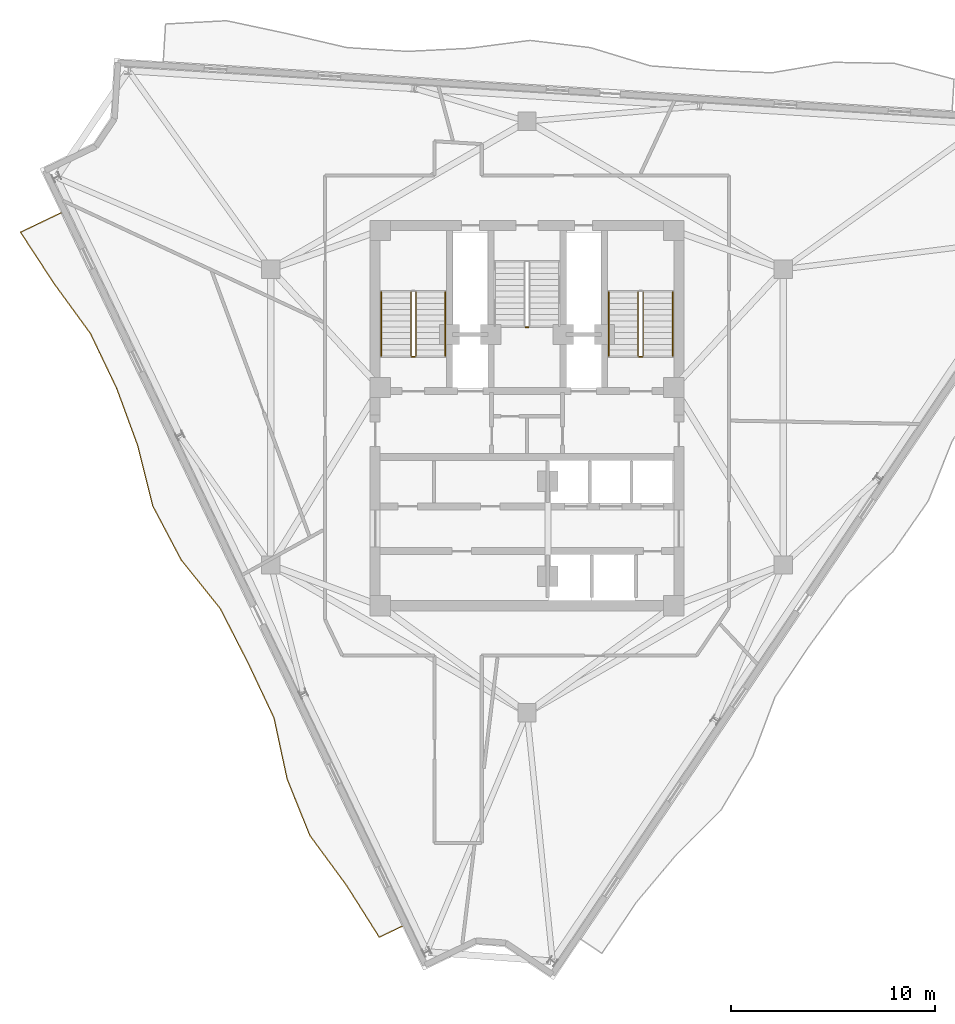
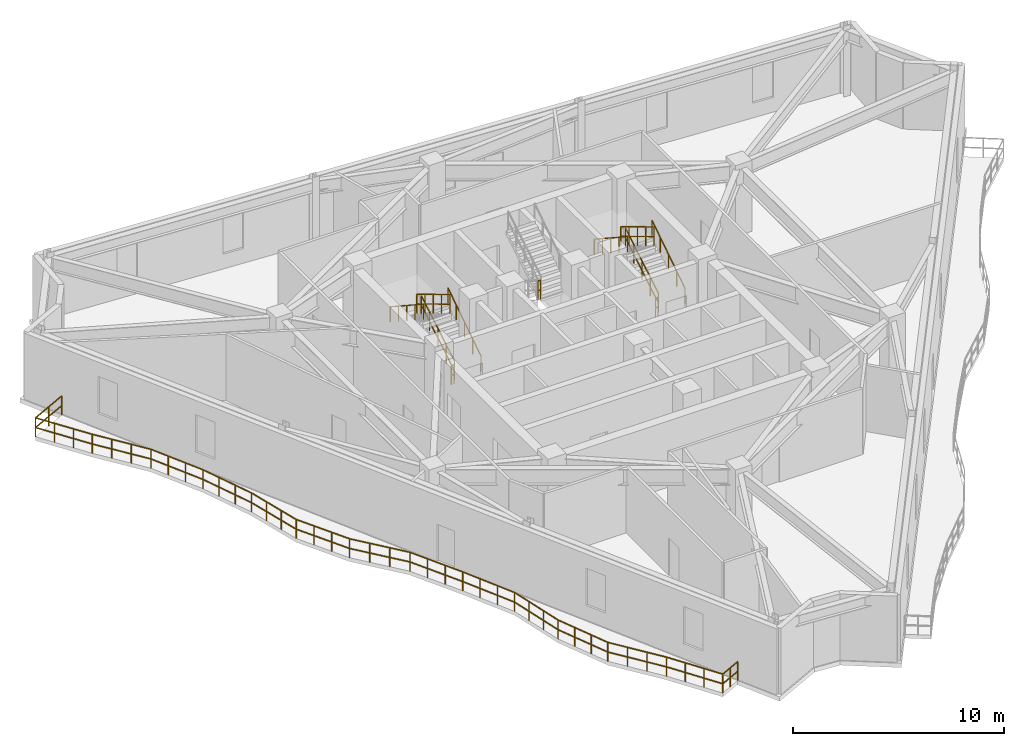
# One storey, part 9 of 11: 12 railings.
"""IFC4 building model written with IfcOpenShell, lengths in metres."""

from ifc_helpers import new_model, si_unit, direction, frame, origin, origin_2d, place, context, subcontext, project, spatial, rectangle, extrude, material, type_object, element, save


model = new_model("IFC4")

# Units and contexts
model_context = context("Model", 3, precision=1e-05, world=origin(), true_north=direction((0.0, 1.0)))
body_context = subcontext(model_context, "Body", "Model", "MODEL_VIEW")
ifc_project = project(units=[si_unit("LENGTHUNIT", "METRE"), si_unit("AREAUNIT", "SQUARE_METRE"), si_unit("VOLUMEUNIT", "CUBIC_METRE"), si_unit("PLANEANGLEUNIT", "RADIAN"), si_unit("MASSUNIT", "GRAM", prefix="KILO")], contexts=[model_context])

# Site, building, storey
site_placement = place(None, origin())
site = spatial("IfcSite", under=ifc_project, at=site_placement, CompositionType="ELEMENT")
building_placement = place(site_placement, origin())
building = spatial("IfcBuilding", under=site, at=building_placement, Name="Apsidion Concourse Tower", CompositionType="ELEMENT")
storey_placement = place(building_placement, frame((0.0, 0.0, 314.699951171875)))
storey = spatial("IfcBuildingStorey", under=building, at=storey_placement, Name="L74", CompositionType="ELEMENT", Elevation=314.699951171875)

# Railings
ifc_material = material(Name="Brushed stainless steel 316", Category="steel")
railing_type_1 = type_object("IfcRailingType", Name="RL-BAL-1120", PredefinedType="BALUSTRADE", material=ifc_material)
railing_1_placement = place(storey_placement, frame((-6.1181640625, -24.96630859375, 0.0)))
element("IfcRailing", 1, at=railing_1_placement, inside=storey, type_object=railing_type_1, Name="L74 Face 1 Rippling Balcony Balustrade", PredefinedType="BALUSTRADE", context=body_context, shape_type="SweptSolid", body=[
    extrude(rectangle(XDim=0.048095703125, YDim=0.048095703125, at=origin_2d()), frame((0.0, 0.0, 1.09619140625), z_axis=(-0.902104466903, -0.431517706234, 0.0), x_axis=(0.431517706234, -0.902104466903, 0.0)), (0.0, 0.0, 1.0), 1.249755859375),
    extrude(rectangle(XDim=0.048095703125, YDim=0.048095703125, at=origin_2d()), frame((0.0, 0.0, 0.5361328125), z_axis=(-0.902104466903, -0.431517706234, 0.0), x_axis=(0.431517706234, -0.902104466903, 0.0)), (0.0, 0.0, 1.0), 1.249755859375),
    extrude(rectangle(XDim=0.048095703125, YDim=0.048095703125, at=origin_2d()), frame((-1.12744140625, -0.539306640625, 1.09619140625), z_axis=(-0.53431709575, 0.845284118619, 0.0), x_axis=(-0.845284118619, -0.53431709575, 0.0)), (0.0, 0.0, 1.0), 3.00390625),
    extrude(rectangle(XDim=0.048095703125, YDim=0.048095703125, at=origin_2d()), frame((-1.12744140625, -0.539306640625, 0.5361328125), z_axis=(-0.53431709575, 0.845284118619, 0.0), x_axis=(-0.845284118619, -0.53431709575, 0.0)), (0.0, 0.0, 1.0), 3.00390625),
    extrude(rectangle(XDim=0.048095703125, YDim=0.048095703125, at=origin_2d()), frame((-2.732421875, 1.999755859375, 1.09619140625), z_axis=(-0.592018877839, 0.805924095857, 0.0), x_axis=(-0.805924095857, -0.592018877839, 0.0)), (0.0, 0.0, 1.0), 3.035888671875),
    extrude(rectangle(XDim=0.048095703125, YDim=0.048095703125, at=origin_2d()), frame((-2.732421875, 1.999755859375, 0.5361328125), z_axis=(-0.592018877839, 0.805924095857, 0.0), x_axis=(-0.805924095857, -0.592018877839, 0.0)), (0.0, 0.0, 1.0), 3.035888671875),
    extrude(rectangle(XDim=0.048095703125, YDim=0.048095703125, at=origin_2d()), frame((-4.52978515625, 4.446533203125, 1.09619140625), z_axis=(-0.373685024988, 0.927555659839, 0.0), x_axis=(-0.927555659839, -0.373685024988, 0.0)), (0.0, 0.0, 1.0), 2.989013671875),
    extrude(rectangle(XDim=0.048095703125, YDim=0.048095703125, at=origin_2d()), frame((-4.52978515625, 4.446533203125, 0.5361328125), z_axis=(-0.373685024988, 0.927555659839, 0.0), x_axis=(-0.927555659839, -0.373685024988, 0.0)), (0.0, 0.0, 1.0), 2.989013671875),
    extrude(rectangle(XDim=0.048095703125, YDim=0.048095703125, at=origin_2d()), frame((-5.646728515625, 7.218994140625, 1.09619140625), z_axis=(-0.210300941002, 0.977636698479, 0.0), x_axis=(-0.977636698479, -0.210300941002, 0.0)), (0.0, 0.0, 1.0), 3.067138671875),
    extrude(rectangle(XDim=0.048095703125, YDim=0.048095703125, at=origin_2d()), frame((-5.646728515625, 7.218994140625, 0.5361328125), z_axis=(-0.210300941002, 0.977636698479, 0.0), x_axis=(-0.977636698479, -0.210300941002, 0.0)), (0.0, 0.0, 1.0), 3.067138671875),
    extrude(rectangle(XDim=0.048095703125, YDim=0.048095703125, at=origin_2d()), frame((-6.291748046875, 10.217529296875, 1.09619140625), z_axis=(-0.426801820596, 0.904345180745, 0.0), x_axis=(-0.904345180745, -0.426801820596, 0.0)), (0.0, 0.0, 1.0), 2.983154296875),
    extrude(rectangle(XDim=0.048095703125, YDim=0.048095703125, at=origin_2d()), frame((-6.291748046875, 10.217529296875, 0.5361328125), z_axis=(-0.426801820596, 0.904345180745, 0.0), x_axis=(-0.904345180745, -0.426801820596, 0.0)), (0.0, 0.0, 1.0), 2.983154296875),
    extrude(rectangle(XDim=0.048095703125, YDim=0.048095703125, at=origin_2d()), frame((-7.56494140625, 12.915283203125, 1.09619140625), z_axis=(-0.455441122892, 0.890265906109, 0.0), x_axis=(-0.890265906109, -0.455441122892, 0.0)), (0.0, 0.0, 1.0), 2.984130859375),
    extrude(rectangle(XDim=0.048095703125, YDim=0.048095703125, at=origin_2d()), frame((-7.56494140625, 12.915283203125, 0.5361328125), z_axis=(-0.455441122892, 0.890265906109, 0.0), x_axis=(-0.890265906109, -0.455441122892, 0.0)), (0.0, 0.0, 1.0), 2.984130859375),
    extrude(rectangle(XDim=0.048095703125, YDim=0.048095703125, at=origin_2d()), frame((-8.924072265625, 15.572021484375, 1.09619140625), z_axis=(-0.625831472538, 0.779958311694, 0.0), x_axis=(-0.779958311694, -0.625831472538, 0.0)), (0.0, 0.0, 1.0), 3.0634765625),
    extrude(rectangle(XDim=0.048095703125, YDim=0.048095703125, at=origin_2d()), frame((-8.924072265625, 15.572021484375, 0.5361328125), z_axis=(-0.625831472538, 0.779958311694, 0.0), x_axis=(-0.779958311694, -0.625831472538, 0.0)), (0.0, 0.0, 1.0), 3.0634765625),
    extrude(rectangle(XDim=0.048095703125, YDim=0.048095703125, at=origin_2d()), frame((-10.84130859375, 17.96142578125, 1.09619140625), z_axis=(-0.465827325368, 0.884875642641, 0.0), x_axis=(-0.884875642641, -0.465827325368, 0.0)), (0.0, 0.0, 1.0), 2.9853515625),
    extrude(rectangle(XDim=0.048095703125, YDim=0.048095703125, at=origin_2d()), frame((-10.84130859375, 17.96142578125, 0.5361328125), z_axis=(-0.465827325368, 0.884875642641, 0.0), x_axis=(-0.884875642641, -0.465827325368, 0.0)), (0.0, 0.0, 1.0), 2.9853515625),
    extrude(rectangle(XDim=0.048095703125, YDim=0.048095703125, at=origin_2d()), frame((-12.23193359375, 20.60302734375, 1.09619140625), z_axis=(-0.242384694697, 0.970180220256, 0.0), x_axis=(-0.970180220256, -0.242384694697, 0.0)), (0.0, 0.0, 1.0), 3.044921875),
    extrude(rectangle(XDim=0.048095703125, YDim=0.048095703125, at=origin_2d()), frame((-12.23193359375, 20.60302734375, 0.5361328125), z_axis=(-0.242384694697, 0.970180220256, 0.0), x_axis=(-0.970180220256, -0.242384694697, 0.0)), (0.0, 0.0, 1.0), 3.044921875),
    extrude(rectangle(XDim=0.048095703125, YDim=0.048095703125, at=origin_2d()), frame((-12.969970703125, 23.55712890625, 1.09619140625), z_axis=(-0.344587418894, 0.938754233407, 0.0), x_axis=(-0.938754233407, -0.344587418894, 0.0)), (0.0, 0.0, 1.0), 2.996337890625),
    extrude(rectangle(XDim=0.048095703125, YDim=0.048095703125, at=origin_2d()), frame((-12.969970703125, 23.55712890625, 0.5361328125), z_axis=(-0.344587418894, 0.938754233407, 0.0), x_axis=(-0.938754233407, -0.344587418894, 0.0)), (0.0, 0.0, 1.0), 2.996337890625),
    extrude(rectangle(XDim=0.048095703125, YDim=0.048095703125, at=origin_2d()), frame((-14.00244140625, 26.369873046875, 1.09619140625), z_axis=(-0.431562646754, 0.902082968428, 0.0), x_axis=(-0.902082968428, -0.431562646754, 0.0)), (0.0, 0.0, 1.0), 2.98291015625),
    extrude(rectangle(XDim=0.048095703125, YDim=0.048095703125, at=origin_2d()), frame((-14.00244140625, 26.369873046875, 0.5361328125), z_axis=(-0.431562646754, 0.902082968428, 0.0), x_axis=(-0.902082968428, -0.431562646754, 0.0)), (0.0, 0.0, 1.0), 2.98291015625),
    extrude(rectangle(XDim=0.048095703125, YDim=0.048095703125, at=origin_2d()), frame((-15.289794921875, 29.060791015625, 1.09619140625), z_axis=(-0.588688298987, 0.808360121874, 0.0), x_axis=(-0.808360121874, -0.588688298987, 0.0)), (0.0, 0.0, 1.0), 3.0341796875),
    extrude(rectangle(XDim=0.048095703125, YDim=0.048095703125, at=origin_2d()), frame((-15.289794921875, 29.060791015625, 0.5361328125), z_axis=(-0.588688298987, 0.808360121874, 0.0), x_axis=(-0.808360121874, -0.588688298987, 0.0)), (0.0, 0.0, 1.0), 3.0341796875),
    extrude(rectangle(XDim=0.048095703125, YDim=0.048095703125, at=origin_2d()), frame((-17.075927734375, 31.513427734375, 1.09619140625), z_axis=(-0.546906127354, 0.837193936829, 0.0), x_axis=(-0.837193936829, -0.546906127354, 0.0)), (0.0, 0.0, 1.0), 3.00927734375),
    extrude(rectangle(XDim=0.048095703125, YDim=0.048095703125, at=origin_2d()), frame((-17.075927734375, 31.513427734375, 0.5361328125), z_axis=(-0.546906127354, 0.837193936829, 0.0), x_axis=(-0.837193936829, -0.546906127354, 0.0)), (0.0, 0.0, 1.0), 3.00927734375),
    extrude(rectangle(XDim=0.048095703125, YDim=0.048095703125, at=origin_2d()), frame((-18.7216796875, 34.03271484375, 1.09619140625), z_axis=(0.902060960575, 0.431608646121, 0.0), x_axis=(-0.431608646121, 0.902060960575, 0.0)), (0.0, 0.0, 1.0), 2.19970703125),
    extrude(rectangle(XDim=0.048095703125, YDim=0.048095703125, at=origin_2d()), frame((-18.7216796875, 34.03271484375, 0.5361328125), z_axis=(0.902060960575, 0.431608646121, 0.0), x_axis=(-0.431608646121, 0.902060960575, 0.0)), (0.0, 0.0, 1.0), 2.19970703125),
    extrude(rectangle(XDim=0.0419921875, YDim=0.0419921875, at=origin_2d()), origin(), (0.0, 0.0, 1.0), 1.072021484375),
    extrude(rectangle(XDim=0.0419921875, YDim=0.0419921875, at=origin_2d()), frame((-0.563720703125, -0.26953125, 0.0)), (0.0, 0.0, 1.0), 1.072021484375),
    extrude(rectangle(XDim=0.0419921875, YDim=0.0419921875, at=origin_2d()), frame((-1.12744140625, -0.539306640625, 0.0)), (0.0, 0.0, 1.0), 1.072021484375),
    extrude(rectangle(XDim=0.0419921875, YDim=0.0419921875, at=origin_2d()), frame((-1.662353515625, 0.30712890625, 0.0)), (0.0, 0.0, 1.0), 1.072021484375),
    extrude(rectangle(XDim=0.0419921875, YDim=0.0419921875, at=origin_2d()), frame((-2.197509765625, 1.1533203125, 0.0)), (0.0, 0.0, 1.0), 1.072021484375),
    extrude(rectangle(XDim=0.0419921875, YDim=0.0419921875, at=origin_2d()), frame((-2.732421875, 1.999755859375, 0.0)), (0.0, 0.0, 1.0), 1.072021484375),
    extrude(rectangle(XDim=0.0419921875, YDim=0.0419921875, at=origin_2d()), frame((-3.33154296875, 2.8154296875, 0.0)), (0.0, 0.0, 1.0), 1.072021484375),
    extrude(rectangle(XDim=0.0419921875, YDim=0.0419921875, at=origin_2d()), frame((-3.9306640625, 3.630859375, 0.0)), (0.0, 0.0, 1.0), 1.072021484375),
    extrude(rectangle(XDim=0.0419921875, YDim=0.0419921875, at=origin_2d()), frame((-4.52978515625, 4.446533203125, 0.0)), (0.0, 0.0, 1.0), 1.072021484375),
    extrude(rectangle(XDim=0.0419921875, YDim=0.0419921875, at=origin_2d()), frame((-4.902099609375, 5.37060546875, 0.0)), (0.0, 0.0, 1.0), 1.072021484375),
    extrude(rectangle(XDim=0.0419921875, YDim=0.0419921875, at=origin_2d()), frame((-5.2744140625, 6.294921875, 0.0)), (0.0, 0.0, 1.0), 1.072021484375),
    extrude(rectangle(XDim=0.0419921875, YDim=0.0419921875, at=origin_2d()), frame((-5.646728515625, 7.218994140625, 0.0)), (0.0, 0.0, 1.0), 1.072021484375),
    extrude(rectangle(XDim=0.0419921875, YDim=0.0419921875, at=origin_2d()), frame((-5.86181640625, 8.218505859375, 0.0)), (0.0, 0.0, 1.0), 1.072021484375),
    extrude(rectangle(XDim=0.0419921875, YDim=0.0419921875, at=origin_2d()), frame((-6.07666015625, 9.218017578125, 0.0)), (0.0, 0.0, 1.0), 1.072021484375),
    extrude(rectangle(XDim=0.0419921875, YDim=0.0419921875, at=origin_2d()), frame((-6.291748046875, 10.217529296875, 0.0)), (0.0, 0.0, 1.0), 1.072021484375),
    extrude(rectangle(XDim=0.0419921875, YDim=0.0419921875, at=origin_2d()), frame((-6.716064453125, 11.11669921875, 0.0)), (0.0, 0.0, 1.0), 1.072021484375),
    extrude(rectangle(XDim=0.0419921875, YDim=0.0419921875, at=origin_2d()), frame((-7.140625, 12.01611328125, 0.0)), (0.0, 0.0, 1.0), 1.072021484375),
    extrude(rectangle(XDim=0.0419921875, YDim=0.0419921875, at=origin_2d()), frame((-7.56494140625, 12.915283203125, 0.0)), (0.0, 0.0, 1.0), 1.072021484375),
    extrude(rectangle(XDim=0.0419921875, YDim=0.0419921875, at=origin_2d()), frame((-8.01806640625, 13.80078125, 0.0)), (0.0, 0.0, 1.0), 1.072021484375),
    extrude(rectangle(XDim=0.0419921875, YDim=0.0419921875, at=origin_2d()), frame((-8.470947265625, 14.6865234375, 0.0)), (0.0, 0.0, 1.0), 1.072021484375),
    extrude(rectangle(XDim=0.0419921875, YDim=0.0419921875, at=origin_2d()), frame((-8.924072265625, 15.572021484375, 0.0)), (0.0, 0.0, 1.0), 1.072021484375),
    extrude(rectangle(XDim=0.0419921875, YDim=0.0419921875, at=origin_2d()), frame((-9.563232421875, 16.368408203125, 0.0)), (0.0, 0.0, 1.0), 1.072021484375),
    extrude(rectangle(XDim=0.0419921875, YDim=0.0419921875, at=origin_2d()), frame((-10.2021484375, 17.1650390625, 0.0)), (0.0, 0.0, 1.0), 1.072021484375),
    extrude(rectangle(XDim=0.0419921875, YDim=0.0419921875, at=origin_2d()), frame((-10.84130859375, 17.96142578125, 0.0)), (0.0, 0.0, 1.0), 1.072021484375),
    extrude(rectangle(XDim=0.0419921875, YDim=0.0419921875, at=origin_2d()), frame((-11.304931640625, 18.842041015625, 0.0)), (0.0, 0.0, 1.0), 1.072021484375),
    extrude(rectangle(XDim=0.0419921875, YDim=0.0419921875, at=origin_2d()), frame((-11.768310546875, 19.722412109375, 0.0)), (0.0, 0.0, 1.0), 1.072021484375),
    extrude(rectangle(XDim=0.0419921875, YDim=0.0419921875, at=origin_2d()), frame((-12.23193359375, 20.60302734375, 0.0)), (0.0, 0.0, 1.0), 1.072021484375),
    extrude(rectangle(XDim=0.0419921875, YDim=0.0419921875, at=origin_2d()), frame((-12.47802734375, 21.587646484375, 0.0)), (0.0, 0.0, 1.0), 1.072021484375),
    extrude(rectangle(XDim=0.0419921875, YDim=0.0419921875, at=origin_2d()), frame((-12.723876953125, 22.572509765625, 0.0)), (0.0, 0.0, 1.0), 1.072021484375),
    extrude(rectangle(XDim=0.0419921875, YDim=0.0419921875, at=origin_2d()), frame((-12.969970703125, 23.55712890625, 0.0)), (0.0, 0.0, 1.0), 1.072021484375),
    extrude(rectangle(XDim=0.0419921875, YDim=0.0419921875, at=origin_2d()), frame((-13.314208984375, 24.49462890625, 0.0)), (0.0, 0.0, 1.0), 1.072021484375),
    extrude(rectangle(XDim=0.0419921875, YDim=0.0419921875, at=origin_2d()), frame((-13.658203125, 25.432373046875, 0.0)), (0.0, 0.0, 1.0), 1.072021484375),
    extrude(rectangle(XDim=0.0419921875, YDim=0.0419921875, at=origin_2d()), frame((-14.00244140625, 26.369873046875, 0.0)), (0.0, 0.0, 1.0), 1.072021484375),
    extrude(rectangle(XDim=0.0419921875, YDim=0.0419921875, at=origin_2d()), frame((-14.431640625, 27.266845703125, 0.0)), (0.0, 0.0, 1.0), 1.072021484375),
    extrude(rectangle(XDim=0.0419921875, YDim=0.0419921875, at=origin_2d()), frame((-14.860595703125, 28.163818359375, 0.0)), (0.0, 0.0, 1.0), 1.072021484375),
    extrude(rectangle(XDim=0.0419921875, YDim=0.0419921875, at=origin_2d()), frame((-15.289794921875, 29.060791015625, 0.0)), (0.0, 0.0, 1.0), 1.072021484375),
    extrude(rectangle(XDim=0.0419921875, YDim=0.0419921875, at=origin_2d()), frame((-15.88525390625, 29.87841796875, 0.0)), (0.0, 0.0, 1.0), 1.072021484375),
    extrude(rectangle(XDim=0.0419921875, YDim=0.0419921875, at=origin_2d()), frame((-16.48046875, 30.69580078125, 0.0)), (0.0, 0.0, 1.0), 1.072021484375),
    extrude(rectangle(XDim=0.0419921875, YDim=0.0419921875, at=origin_2d()), frame((-17.075927734375, 31.513427734375, 0.0)), (0.0, 0.0, 1.0), 1.072021484375),
    extrude(rectangle(XDim=0.0419921875, YDim=0.0419921875, at=origin_2d()), frame((-17.62451171875, 32.353271484375, 0.0)), (0.0, 0.0, 1.0), 1.072021484375),
    extrude(rectangle(XDim=0.0419921875, YDim=0.0419921875, at=origin_2d()), frame((-18.173095703125, 33.19287109375, 0.0)), (0.0, 0.0, 1.0), 1.072021484375),
    extrude(rectangle(XDim=0.0419921875, YDim=0.0419921875, at=origin_2d()), frame((-18.7216796875, 34.03271484375, 0.0)), (0.0, 0.0, 1.0), 1.072021484375),
    extrude(rectangle(XDim=0.0419921875, YDim=0.0419921875, at=origin_2d()), frame((-17.7294921875, 34.50732421875, 0.0)), (0.0, 0.0, 1.0), 1.072021484375),
    extrude(rectangle(XDim=0.0419921875, YDim=0.0419921875, at=origin_2d()), frame((-16.7373046875, 34.982177734375, 0.0)), (0.0, 0.0, 1.0), 1.072021484375),
])
railing_type_2 = type_object("IfcRailingType", Name="RL-GUARD-1100", PredefinedType="GUARDRAIL", material=ifc_material)
railing_2_placement = place(storey_placement, frame((-5.449951171875, 3.0, 0.1708984375)))
element("IfcRailing", 2, at=railing_2_placement, inside=storey, type_object=railing_type_2, Name="L74 ST1 stair guard 1", PredefinedType="GUARDRAIL", context=body_context, shape_type="SweptSolid", body=[
    extrude(rectangle(XDim=0.048095703125, YDim=0.048095703125, at=origin_2d()), frame((0.0, 0.0, 1.09619140625), z_axis=(0.0, 0.857716804754, 0.514122439544), x_axis=(-1.0, 0.0, 0.0)), (0.0, 0.0, 1.0), 3.655029296875),
    extrude(rectangle(XDim=0.048095703125, YDim=0.048095703125, at=origin_2d()), frame((0.0, 0.0, 0.5361328125), z_axis=(0.0, 0.857716804754, 0.514122439544), x_axis=(-1.0, 0.0, 0.0)), (0.0, 0.0, 1.0), 3.655029296875),
    extrude(rectangle(XDim=0.0419921875, YDim=0.0419921875, at=origin_2d()), origin(), (0.0, 0.0, 1.0), 1.072021484375),
    extrude(rectangle(XDim=0.0419921875, YDim=0.0419921875, at=origin_2d()), frame((0.0, 0.78369140625, 0.4697265625)), (0.0, 0.0, 1.0), 1.072021484375),
    extrude(rectangle(XDim=0.0419921875, YDim=0.0419921875, at=origin_2d()), frame((0.0, 1.5673828125, 0.939453125)), (0.0, 0.0, 1.0), 1.072021484375),
    extrude(rectangle(XDim=0.0419921875, YDim=0.0419921875, at=origin_2d()), frame((0.0, 2.351318359375, 1.409423828125)), (0.0, 0.0, 1.0), 1.072021484375),
    extrude(rectangle(XDim=0.0419921875, YDim=0.0419921875, at=origin_2d()), frame((0.0, 3.135009765625, 1.879150390625)), (0.0, 0.0, 1.0), 1.072021484375),
])
railing_3_placement = place(storey_placement, frame((-5.699951171875, 6.135009765625, 2.220947265625)))
element("IfcRailing", 3, at=railing_3_placement, inside=storey, type_object=railing_type_2, Name="L74 ST1 stair guard 3", PredefinedType="GUARDRAIL", context=body_context, shape_type="SweptSolid", body=[
    extrude(rectangle(XDim=0.048095703125, YDim=0.048095703125, at=origin_2d()), frame((0.0, 0.0, 1.09619140625), z_axis=(0.0, -0.857716804754, 0.514122439544), x_axis=(1.0, 0.0, 0.0)), (0.0, 0.0, 1.0), 3.655029296875),
    extrude(rectangle(XDim=0.048095703125, YDim=0.048095703125, at=origin_2d()), frame((0.0, 0.0, 0.5361328125), z_axis=(0.0, -0.857716804754, 0.514122439544), x_axis=(1.0, 0.0, 0.0)), (0.0, 0.0, 1.0), 3.655029296875),
    extrude(rectangle(XDim=0.0419921875, YDim=0.0419921875, at=origin_2d()), origin(), (0.0, 0.0, 1.0), 1.072021484375),
    extrude(rectangle(XDim=0.0419921875, YDim=0.0419921875, at=origin_2d()), frame((0.0, -0.78369140625, 0.4697265625)), (0.0, 0.0, 1.0), 1.072021484375),
    extrude(rectangle(XDim=0.0419921875, YDim=0.0419921875, at=origin_2d()), frame((0.0, -1.5673828125, 0.939453125)), (0.0, 0.0, 1.0), 1.072021484375),
    extrude(rectangle(XDim=0.0419921875, YDim=0.0419921875, at=origin_2d()), frame((0.0, -2.351318359375, 1.409423828125)), (0.0, 0.0, 1.0), 1.072021484375),
    extrude(rectangle(XDim=0.0419921875, YDim=0.0419921875, at=origin_2d()), frame((0.0, -3.135009765625, 1.879150390625)), (0.0, 0.0, 1.0), 1.072021484375),
])
railing_4_placement = place(storey_placement, frame((-5.5, 2.949951171875, 0.0)))
element("IfcRailing", 4, at=railing_4_placement, inside=storey, type_object=railing_type_2, Name="L74 ST1 stair guard 4", PredefinedType="GUARDRAIL", context=body_context, shape_type="SweptSolid", body=[
    extrude(rectangle(XDim=0.048095703125, YDim=0.048095703125, at=origin_2d()), frame((0.0, 0.0, 1.09619140625), z_axis=(-1.0, 0.0, 0.0), x_axis=(0.0, -1.0, 0.0)), (0.0, 0.0, 1.0), 0.14990234375),
    extrude(rectangle(XDim=0.048095703125, YDim=0.048095703125, at=origin_2d()), frame((0.0, 0.0, 0.5361328125), z_axis=(-1.0, 0.0, 0.0), x_axis=(0.0, -1.0, 0.0)), (0.0, 0.0, 1.0), 0.14990234375),
    extrude(rectangle(XDim=0.0419921875, YDim=0.0419921875, at=origin_2d()), origin(), (0.0, 0.0, 1.0), 1.072021484375),
    extrude(rectangle(XDim=0.0419921875, YDim=0.0419921875, at=origin_2d()), frame((-0.14990234375, 0.0, 0.0)), (0.0, 0.0, 1.0), 1.072021484375),
])
railing_5_placement = place(storey_placement, frame((5.699951171875, 3.0, 0.1708984375)))
element("IfcRailing", 5, at=railing_5_placement, inside=storey, type_object=railing_type_2, Name="L74 ST2 stair guard 1", PredefinedType="GUARDRAIL", context=body_context, shape_type="SweptSolid", body=[
    extrude(rectangle(XDim=0.048095703125, YDim=0.048095703125, at=origin_2d()), frame((0.0, 0.0, 1.09619140625), z_axis=(0.0, 0.857716804754, 0.514122439544), x_axis=(-1.0, 0.0, 0.0)), (0.0, 0.0, 1.0), 3.655029296875),
    extrude(rectangle(XDim=0.048095703125, YDim=0.048095703125, at=origin_2d()), frame((0.0, 0.0, 0.5361328125), z_axis=(0.0, 0.857716804754, 0.514122439544), x_axis=(-1.0, 0.0, 0.0)), (0.0, 0.0, 1.0), 3.655029296875),
    extrude(rectangle(XDim=0.0419921875, YDim=0.0419921875, at=origin_2d()), origin(), (0.0, 0.0, 1.0), 1.072021484375),
    extrude(rectangle(XDim=0.0419921875, YDim=0.0419921875, at=origin_2d()), frame((0.0, 0.78369140625, 0.4697265625)), (0.0, 0.0, 1.0), 1.072021484375),
    extrude(rectangle(XDim=0.0419921875, YDim=0.0419921875, at=origin_2d()), frame((0.0, 1.5673828125, 0.939453125)), (0.0, 0.0, 1.0), 1.072021484375),
    extrude(rectangle(XDim=0.0419921875, YDim=0.0419921875, at=origin_2d()), frame((0.0, 2.351318359375, 1.409423828125)), (0.0, 0.0, 1.0), 1.072021484375),
    extrude(rectangle(XDim=0.0419921875, YDim=0.0419921875, at=origin_2d()), frame((0.0, 3.135009765625, 1.879150390625)), (0.0, 0.0, 1.0), 1.072021484375),
])
railing_6_placement = place(storey_placement, frame((5.449951171875, 6.135009765625, 2.220947265625)))
element("IfcRailing", 6, at=railing_6_placement, inside=storey, type_object=railing_type_2, Name="L74 ST2 stair guard 3", PredefinedType="GUARDRAIL", context=body_context, shape_type="SweptSolid", body=[
    extrude(rectangle(XDim=0.048095703125, YDim=0.048095703125, at=origin_2d()), frame((0.0, 0.0, 1.09619140625), z_axis=(0.0, -0.857716804754, 0.514122439544), x_axis=(1.0, 0.0, 0.0)), (0.0, 0.0, 1.0), 3.655029296875),
    extrude(rectangle(XDim=0.048095703125, YDim=0.048095703125, at=origin_2d()), frame((0.0, 0.0, 0.5361328125), z_axis=(0.0, -0.857716804754, 0.514122439544), x_axis=(1.0, 0.0, 0.0)), (0.0, 0.0, 1.0), 3.655029296875),
    extrude(rectangle(XDim=0.0419921875, YDim=0.0419921875, at=origin_2d()), origin(), (0.0, 0.0, 1.0), 1.072021484375),
    extrude(rectangle(XDim=0.0419921875, YDim=0.0419921875, at=origin_2d()), frame((0.0, -0.78369140625, 0.4697265625)), (0.0, 0.0, 1.0), 1.072021484375),
    extrude(rectangle(XDim=0.0419921875, YDim=0.0419921875, at=origin_2d()), frame((0.0, -1.5673828125, 0.939453125)), (0.0, 0.0, 1.0), 1.072021484375),
    extrude(rectangle(XDim=0.0419921875, YDim=0.0419921875, at=origin_2d()), frame((0.0, -2.351318359375, 1.409423828125)), (0.0, 0.0, 1.0), 1.072021484375),
    extrude(rectangle(XDim=0.0419921875, YDim=0.0419921875, at=origin_2d()), frame((0.0, -3.135009765625, 1.879150390625)), (0.0, 0.0, 1.0), 1.072021484375),
])
railing_7_placement = place(storey_placement, frame((5.64990234375, 2.949951171875, 0.0)))
element("IfcRailing", 7, at=railing_7_placement, inside=storey, type_object=railing_type_2, Name="L74 ST2 stair guard 4", PredefinedType="GUARDRAIL", context=body_context, shape_type="SweptSolid", body=[
    extrude(rectangle(XDim=0.048095703125, YDim=0.048095703125, at=origin_2d()), frame((0.0, 0.0, 1.09619140625), z_axis=(-1.0, 0.0, 0.0), x_axis=(0.0, -1.0, 0.0)), (0.0, 0.0, 1.0), 0.14990234375),
    extrude(rectangle(XDim=0.048095703125, YDim=0.048095703125, at=origin_2d()), frame((0.0, 0.0, 0.5361328125), z_axis=(-1.0, 0.0, 0.0), x_axis=(0.0, -1.0, 0.0)), (0.0, 0.0, 1.0), 0.14990234375),
    extrude(rectangle(XDim=0.0419921875, YDim=0.0419921875, at=origin_2d()), origin(), (0.0, 0.0, 1.0), 1.072021484375),
    extrude(rectangle(XDim=0.0419921875, YDim=0.0419921875, at=origin_2d()), frame((-0.14990234375, 0.0, 0.0)), (0.0, 0.0, 1.0), 1.072021484375),
])
railing_8_placement = place(storey_placement, frame((-0.074951171875, 4.4150390625, 2.050048828125)))
element("IfcRailing", 8, at=railing_8_placement, inside=storey, type_object=railing_type_2, Name="L74 ST3 stair guard 2", PredefinedType="GUARDRAIL", context=body_context, shape_type="SweptSolid", body=[
    extrude(rectangle(XDim=0.048095703125, YDim=0.048095703125, at=origin_2d()), frame((0.0, 0.0, 1.09619140625), z_axis=(1.0, 0.0, 0.0), x_axis=(0.0, 1.0, 0.0)), (0.0, 0.0, 1.0), 0.14990234375),
    extrude(rectangle(XDim=0.048095703125, YDim=0.048095703125, at=origin_2d()), frame((0.0, 0.0, 0.5361328125), z_axis=(1.0, 0.0, 0.0), x_axis=(0.0, 1.0, 0.0)), (0.0, 0.0, 1.0), 0.14990234375),
    extrude(rectangle(XDim=0.0419921875, YDim=0.0419921875, at=origin_2d()), origin(), (0.0, 0.0, 1.0), 1.072021484375),
    extrude(rectangle(XDim=0.0419921875, YDim=0.0419921875, at=origin_2d()), frame((0.14990234375, 0.0, 0.0)), (0.0, 0.0, 1.0), 1.072021484375),
])
railing_type_3 = type_object("IfcRailingType", Name="RL-HAND-900", PredefinedType="HANDRAIL", material=ifc_material)
railing_9_placement = place(storey_placement, frame((-4.0, 3.0, 0.1708984375)))
element("IfcRailing", 9, at=railing_9_placement, inside=storey, type_object=railing_type_3, Name="L74 ST1 stair handrail 1", PredefinedType="HANDRAIL", context=body_context, shape_type="SweptSolid", body=[
    extrude(rectangle(XDim=0.048095703125, YDim=0.048095703125, at=origin_2d()), frame((0.0, 0.0, 0.8759765625), z_axis=(0.0, 0.836940907821, 0.547293263996), x_axis=(-1.0, 0.0, 0.0)), (0.0, 0.0, 1.0), 3.745849609375),
    extrude(rectangle(XDim=0.0419921875, YDim=0.0419921875, at=origin_2d()), origin(), (0.0, 0.0, 1.0), 0.851806640625),
    extrude(rectangle(XDim=0.0419921875, YDim=0.0419921875, at=origin_2d()), frame((0.0, 0.78369140625, 0.512451171875)), (0.0, 0.0, 1.0), 0.851806640625),
    extrude(rectangle(XDim=0.0419921875, YDim=0.0419921875, at=origin_2d()), frame((0.0, 1.5673828125, 1.02490234375)), (0.0, 0.0, 1.0), 0.851806640625),
    extrude(rectangle(XDim=0.0419921875, YDim=0.0419921875, at=origin_2d()), frame((0.0, 2.351318359375, 1.53759765625)), (0.0, 0.0, 1.0), 0.851806640625),
    extrude(rectangle(XDim=0.0419921875, YDim=0.0419921875, at=origin_2d()), frame((0.0, 3.135009765625, 2.050048828125)), (0.0, 0.0, 1.0), 0.851806640625),
])
railing_10_placement = place(storey_placement, frame((-7.14990234375, 6.135009765625, 2.220947265625)))
element("IfcRailing", 10, at=railing_10_placement, inside=storey, type_object=railing_type_3, Name="L74 ST1 stair handrail 2", PredefinedType="HANDRAIL", context=body_context, shape_type="SweptSolid", body=[
    extrude(rectangle(XDim=0.048095703125, YDim=0.048095703125, at=origin_2d()), frame((0.0, 0.0, 0.8759765625), z_axis=(0.0, -0.836940907821, 0.547293263996), x_axis=(1.0, 0.0, 0.0)), (0.0, 0.0, 1.0), 3.745849609375),
    extrude(rectangle(XDim=0.0419921875, YDim=0.0419921875, at=origin_2d()), origin(), (0.0, 0.0, 1.0), 0.851806640625),
    extrude(rectangle(XDim=0.0419921875, YDim=0.0419921875, at=origin_2d()), frame((0.0, -0.78369140625, 0.512451171875)), (0.0, 0.0, 1.0), 0.851806640625),
    extrude(rectangle(XDim=0.0419921875, YDim=0.0419921875, at=origin_2d()), frame((0.0, -1.5673828125, 1.02490234375)), (0.0, 0.0, 1.0), 0.851806640625),
    extrude(rectangle(XDim=0.0419921875, YDim=0.0419921875, at=origin_2d()), frame((0.0, -2.351318359375, 1.53759765625)), (0.0, 0.0, 1.0), 0.851806640625),
    extrude(rectangle(XDim=0.0419921875, YDim=0.0419921875, at=origin_2d()), frame((0.0, -3.135009765625, 2.050048828125)), (0.0, 0.0, 1.0), 0.851806640625),
])
railing_11_placement = place(storey_placement, frame((7.14990234375, 3.0, 0.1708984375)))
element("IfcRailing", 11, at=railing_11_placement, inside=storey, type_object=railing_type_3, Name="L74 ST2 stair handrail 1", PredefinedType="HANDRAIL", context=body_context, shape_type="SweptSolid", body=[
    extrude(rectangle(XDim=0.048095703125, YDim=0.048095703125, at=origin_2d()), frame((0.0, 0.0, 0.8759765625), z_axis=(0.0, 0.836940907821, 0.547293263996), x_axis=(-1.0, 0.0, 0.0)), (0.0, 0.0, 1.0), 3.745849609375),
    extrude(rectangle(XDim=0.0419921875, YDim=0.0419921875, at=origin_2d()), origin(), (0.0, 0.0, 1.0), 0.851806640625),
    extrude(rectangle(XDim=0.0419921875, YDim=0.0419921875, at=origin_2d()), frame((0.0, 0.78369140625, 0.512451171875)), (0.0, 0.0, 1.0), 0.851806640625),
    extrude(rectangle(XDim=0.0419921875, YDim=0.0419921875, at=origin_2d()), frame((0.0, 1.5673828125, 1.02490234375)), (0.0, 0.0, 1.0), 0.851806640625),
    extrude(rectangle(XDim=0.0419921875, YDim=0.0419921875, at=origin_2d()), frame((0.0, 2.351318359375, 1.53759765625)), (0.0, 0.0, 1.0), 0.851806640625),
    extrude(rectangle(XDim=0.0419921875, YDim=0.0419921875, at=origin_2d()), frame((0.0, 3.135009765625, 2.050048828125)), (0.0, 0.0, 1.0), 0.851806640625),
])
railing_12_placement = place(storey_placement, frame((4.0, 6.135009765625, 2.220947265625)))
element("IfcRailing", 12, at=railing_12_placement, inside=storey, type_object=railing_type_3, Name="L74 ST2 stair handrail 2", PredefinedType="HANDRAIL", context=body_context, shape_type="SweptSolid", body=[
    extrude(rectangle(XDim=0.048095703125, YDim=0.048095703125, at=origin_2d()), frame((0.0, 0.0, 0.8759765625), z_axis=(0.0, -0.836940907821, 0.547293263996), x_axis=(1.0, 0.0, 0.0)), (0.0, 0.0, 1.0), 3.745849609375),
    extrude(rectangle(XDim=0.0419921875, YDim=0.0419921875, at=origin_2d()), origin(), (0.0, 0.0, 1.0), 0.851806640625),
    extrude(rectangle(XDim=0.0419921875, YDim=0.0419921875, at=origin_2d()), frame((0.0, -0.78369140625, 0.512451171875)), (0.0, 0.0, 1.0), 0.851806640625),
    extrude(rectangle(XDim=0.0419921875, YDim=0.0419921875, at=origin_2d()), frame((0.0, -1.5673828125, 1.02490234375)), (0.0, 0.0, 1.0), 0.851806640625),
    extrude(rectangle(XDim=0.0419921875, YDim=0.0419921875, at=origin_2d()), frame((0.0, -2.351318359375, 1.53759765625)), (0.0, 0.0, 1.0), 0.851806640625),
    extrude(rectangle(XDim=0.0419921875, YDim=0.0419921875, at=origin_2d()), frame((0.0, -3.135009765625, 2.050048828125)), (0.0, 0.0, 1.0), 0.851806640625),
])

save(model, "model.ifc")
